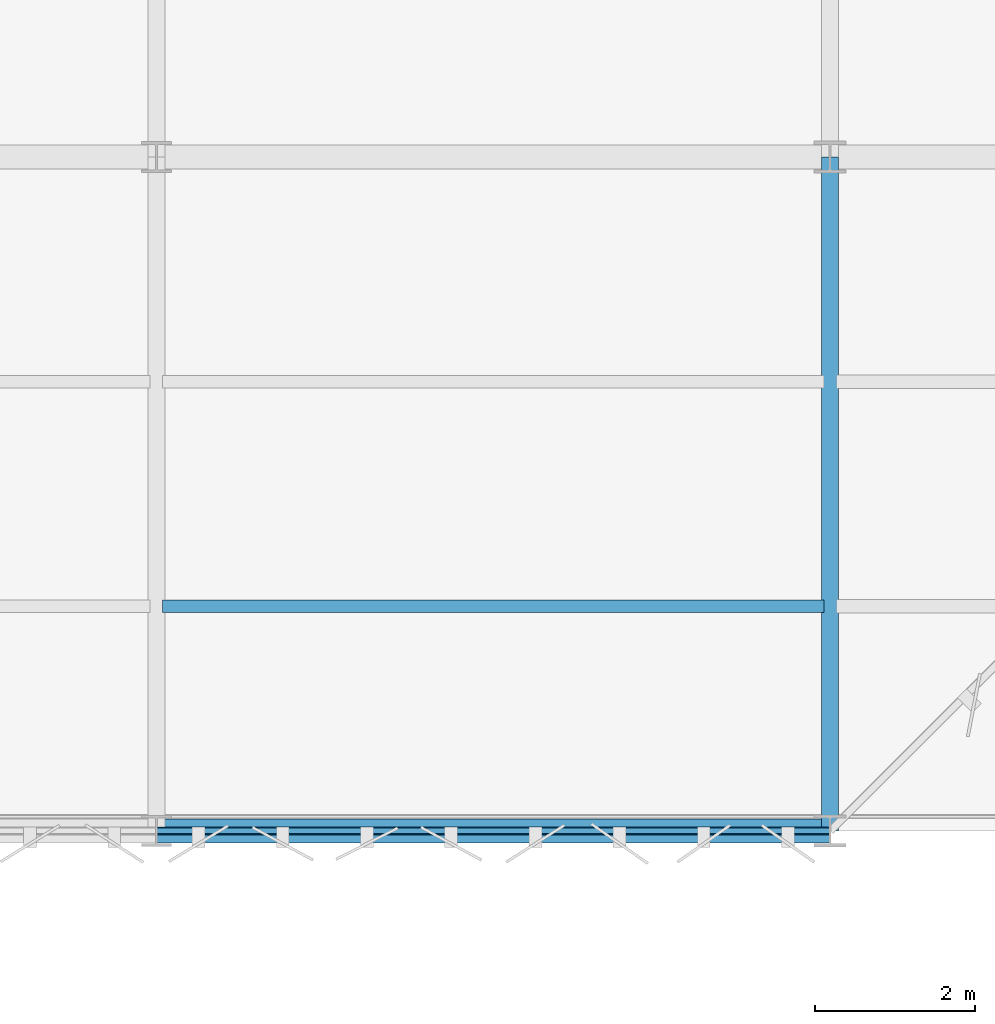
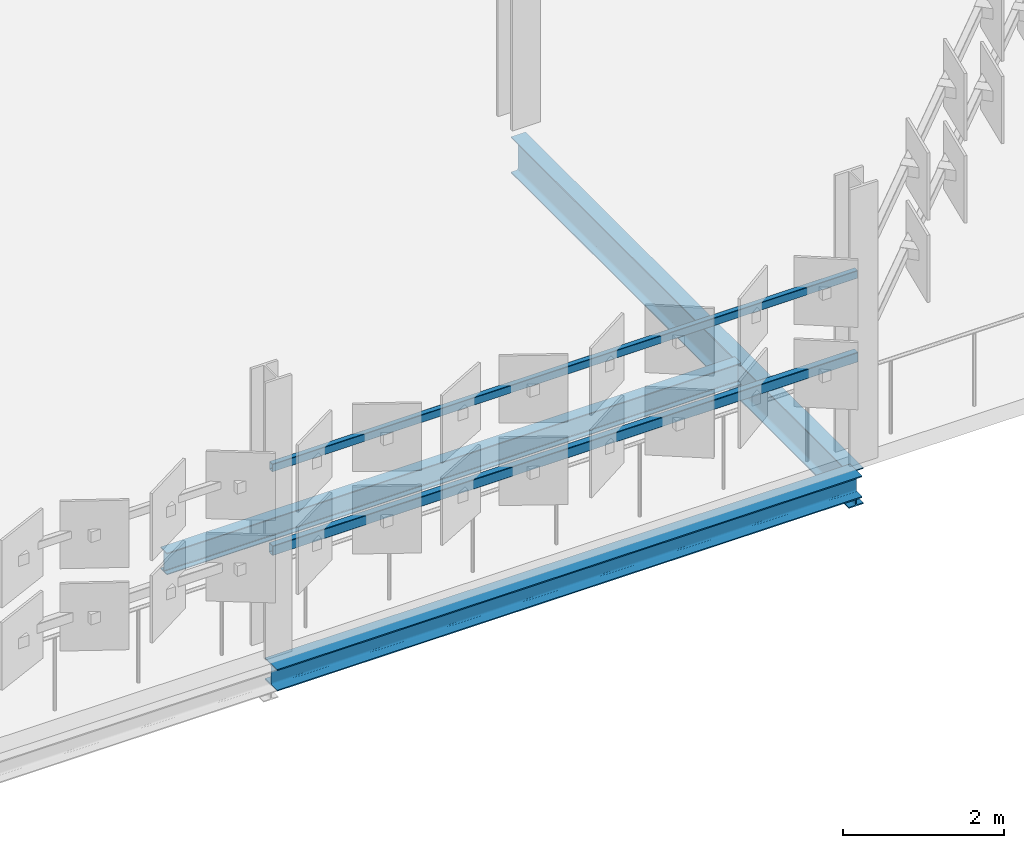
# One storey, part 105 of 163: 5 beams.
"""IFC4 building model written with IfcOpenShell, lengths in metres."""

import ifcopenshell
import ifcopenshell.guid

model = None  # the IFC model being written
_history = None  # IfcOwnerHistory: only IFC2X3 demands one
_inside = {}  # id of a spatial element -> (the spatial element, [elements in it])
_under = {}  # id of a project, library or spatial element -> (it, [spatial elements below it])
_declared = {}  # id of a project -> (the project, [libraries it declares])
_typed = {}  # id of a type object -> (the type object, [elements of that type])
_made_of = {}  # id of a material, layer set ... -> (it, [elements and type objects made of it])


def new_model(schema):
    """Start an empty IFC model of exactly this schema.

    Asked for "IFC4X3", IfcOpenShell would pick the latest addendum, in which some entities
    have other attributes; the version numbers below select the first issue.
    IFC2X3 requires an IfcOwnerHistory on every rooted entity: one is made here for all.
    """
    global model, _history
    if schema == "IFC4X3":
        model = ifcopenshell.file(schema_version=(4, 3, 0, 0))
    else:
        model = ifcopenshell.file(schema=schema)
    _inside.clear()
    _under.clear()
    _declared.clear()
    _typed.clear()
    _made_of.clear()
    _history = None
    if model.schema == "IFC2X3":
        org = make("IfcOrganization", Name="unknown")
        user = make(
            "IfcPersonAndOrganization",
            ThePerson=make("IfcPerson", FamilyName="unknown"),
            TheOrganization=org,
        )
        app = make(
            "IfcApplication",
            ApplicationDeveloper=org,
            Version="unknown",
            ApplicationFullName="unknown",
            ApplicationIdentifier="unknown",
        )
        _history = make(
            "IfcOwnerHistory",
            OwningUser=user,
            OwningApplication=app,
            ChangeAction="ADDED",
            CreationDate=0,
        )
    return model


def make(cls, **values):
    """One entity of the class cls with the attributes given. An attribute that is None is left unset."""
    return model.create_entity(
        cls, **{name: value for name, value in values.items() if value is not None}
    )


def rooted(cls, **values):
    """An entity with a GlobalId (a new one), such as an element, a storey or a relation."""
    return make(cls, GlobalId=ifcopenshell.guid.new(), OwnerHistory=_history, **values)


def si_unit(unit_type, name, prefix=None):
    """IfcSIUnit, for example si_unit("LENGTHUNIT", "METRE", prefix="MILLI")."""
    return make("IfcSIUnit", UnitType=unit_type, Prefix=prefix, Name=name)


def assignment(units):
    """IfcUnitAssignment: the units of a project."""
    return None if units is None else make("IfcUnitAssignment", Units=units)


def point(xyz):
    """IfcCartesianPoint."""
    return None if xyz is None else make("IfcCartesianPoint", Coordinates=xyz)


def direction(xyz):
    """IfcDirection."""
    return None if xyz is None else make("IfcDirection", DirectionRatios=xyz)


def frame(location, z_axis=None, x_axis=None):
    """IfcAxis2Placement3D, a coordinate frame: its origin and axes. An axis left out is left unset."""
    return make(
        "IfcAxis2Placement3D",
        Location=point(location),
        Axis=direction(z_axis),
        RefDirection=direction(x_axis),
    )


def frame_2d(location, x_axis=None):
    """IfcAxis2Placement2D, a coordinate frame in the plane: its origin and x axis."""
    return make(
        "IfcAxis2Placement2D", Location=point(location), RefDirection=direction(x_axis)
    )


def origin():
    """The frame at (0, 0, 0) with its axes left unset."""
    return frame((0.0, 0.0, 0.0))


def origin_2d():
    """The frame at (0, 0) in the plane with its x axis left unset."""
    return frame_2d((0.0, 0.0))


def place(relative_to, where):
    """IfcLocalPlacement: puts the frame where relative to a parent placement (None: the world)."""
    return make(
        "IfcLocalPlacement", PlacementRelTo=relative_to, RelativePlacement=where
    )


def context(
    kind, dimensions, precision=None, world=None, true_north=None, identifier=None
):
    """IfcGeometricRepresentationContext, for example the 3D "Model" context."""
    return make(
        "IfcGeometricRepresentationContext",
        ContextIdentifier=identifier,
        ContextType=kind,
        CoordinateSpaceDimension=dimensions,
        Precision=precision,
        WorldCoordinateSystem=world,
        TrueNorth=true_north,
    )


def subcontext(parent, identifier, kind, view, scale=None):
    """IfcGeometricRepresentationSubContext, for example "Body" below "Model"."""
    return make(
        "IfcGeometricRepresentationSubContext",
        ContextIdentifier=identifier,
        ContextType=kind,
        ParentContext=parent,
        TargetScale=scale,
        TargetView=view,
    )


def project(units=None, contexts=None):
    """IfcProject with its units and contexts."""
    return rooted(
        "IfcProject",
        Name="project",
        RepresentationContexts=contexts,
        UnitsInContext=assignment(units),
    )


def spatial(cls, under=None, at=None, **own):
    """A site, building, storey or space (cls), placed at a placement, below another one or the project."""
    s = rooted(cls, ObjectPlacement=at, **own)
    if under is not None:
        _under.setdefault(under.id(), (under, []))[1].append(s)
    return s


def profile(cls, at=None, kind="AREA", **sizes):
    """A parametric profile (cls). Its sizes go by their IFC names, for example OverallWidth=200.0."""
    return make(cls, ProfileType=kind, Position=at, **sizes)


def hollow_rectangle(**sizes):
    """IfcRectangleHollowProfileDef."""
    return profile("IfcRectangleHollowProfileDef", **sizes)


def i_section(**sizes):
    """IfcIShapeProfileDef."""
    return profile("IfcIShapeProfileDef", **sizes)


def extrude(swept, where, along, depth):
    """IfcExtrudedAreaSolid: the profile swept, set in the frame where, extruded along a direction by depth."""
    return make(
        "IfcExtrudedAreaSolid",
        SweptArea=swept,
        Position=where,
        ExtrudedDirection=direction(along),
        Depth=depth,
    )


def shape(context_of_items, identifier, shape_type, items):
    """IfcShapeRepresentation: the items that make up one representation, for example the "Body"."""
    return make(
        "IfcShapeRepresentation",
        ContextOfItems=context_of_items,
        RepresentationIdentifier=identifier,
        RepresentationType=shape_type,
        Items=items,
    )


def material(Name=None, Category=None):
    """IfcMaterial."""
    return make("IfcMaterial", Name=Name, Category=Category)


def material_profile(
    of_material, cross_section, Name=None, Category=None, Priority=None
):
    """IfcMaterialProfile: a cross section and its material."""
    return make(
        "IfcMaterialProfile",
        Name=Name,
        Material=of_material,
        Profile=cross_section,
        Priority=Priority,
        Category=Category,
    )


def profile_set(profiles, Name=None, composite=None):
    """IfcMaterialProfileSet."""
    return make(
        "IfcMaterialProfileSet",
        Name=Name,
        MaterialProfiles=profiles,
        CompositeProfile=composite,
    )


def made_of(thing, what):
    """Note that an element or type object is made of a material, layer set ...; save() writes the relation."""
    if what is not None:
        _made_of.setdefault(what.id(), (what, []))[1].append(thing)
    return thing


def type_object(cls, material=None, **own):
    """A type object (cls), such as IfcWallType, which elements share."""
    return made_of(rooted(cls, **own), material)


def element(
    cls,
    number,
    at=None,
    inside=None,
    cuts=None,
    type_object=None,
    material=None,
    context=None,
    identifier="Body",
    shape_type=None,
    held_by="IfcProductDefinitionShape",
    body=None,
    shapes=None,
    **own,
):
    """One element of the class cls, such as IfcWall. Its Tag is "e" and its number.

    at: its placement. inside: the storey or other place that contains it. cuts: it is an
    opening in that element (IfcRelVoidsElement). A single representation is given by context,
    identifier, shape_type and body (its items); several are given by shapes. held_by: the class
    of the entity that holds the representations. save() writes the other relations.
    """
    e = rooted(cls, Tag="e%d" % number, ObjectPlacement=at, **own)
    if body is not None:
        shapes = [shape(context, identifier, shape_type, body)]
    if shapes is not None:
        e.Representation = make(held_by, Representations=shapes)
    if inside is not None:
        _inside.setdefault(inside.id(), (inside, []))[1].append(e)
    if cuts is not None:
        rooted(
            "IfcRelVoidsElement", RelatingBuildingElement=cuts, RelatedOpeningElement=e
        )
    if type_object is not None:
        _typed.setdefault(type_object.id(), (type_object, []))[1].append(e)
    return made_of(e, material)


def aggregate(whole, parts):
    """IfcRelAggregates: a whole, such as a stair, and the parts it consists of."""
    return rooted("IfcRelAggregates", RelatingObject=whole, RelatedObjects=parts)


def save(model, path):
    """Write the relations noted so far, then the file.

    IfcRelAggregates (storeys below a building ...), IfcRelContainedInSpatialStructure (elements
    in a storey), IfcRelDefinesByType, IfcRelAssociatesMaterial and IfcRelDeclares: one each for
    every whole, place, type object, material and project.
    """
    for whole, parts in _under.values():
        aggregate(whole, parts)
    for where, things in _inside.values():
        rooted(
            "IfcRelContainedInSpatialStructure",
            RelatedElements=things,
            RelatingStructure=where,
        )
    for kind, things in _typed.values():
        rooted("IfcRelDefinesByType", RelatedObjects=things, RelatingType=kind)
    for what, things in _made_of.values():
        rooted("IfcRelAssociatesMaterial", RelatedObjects=things, RelatingMaterial=what)
    for by, libraries in _declared.values():
        rooted("IfcRelDeclares", RelatingContext=by, RelatedDefinitions=libraries)
    model.write(path)


model = new_model("IFC4")

# Units and contexts
model_context = context("Model", 3, precision=1e-05, world=origin(), true_north=direction((0.0, 1.0)))
body_context = subcontext(model_context, "Body", "Model", "MODEL_VIEW")
ifc_project = project(units=[si_unit("LENGTHUNIT", "METRE"), si_unit("AREAUNIT", "SQUARE_METRE"), si_unit("VOLUMEUNIT", "CUBIC_METRE"), si_unit("PLANEANGLEUNIT", "RADIAN"), si_unit("MASSUNIT", "GRAM", prefix="KILO")], contexts=[model_context])

# Site, building, storey
site_placement = place(None, origin())
site = spatial("IfcSite", under=ifc_project, at=site_placement, CompositionType="ELEMENT")
building_placement = place(site_placement, origin())
building = spatial("IfcBuilding", under=site, at=building_placement, Name="Qalvenar Corner Mobility Hub", CompositionType="ELEMENT")
storey_placement = place(building_placement, frame((0.0, 0.0, 4.800048828125)))
storey = spatial("IfcBuildingStorey", under=building, at=storey_placement, Name="L01", CompositionType="ELEMENT", Elevation=4.800048828125)

# Beams
ifc_material = material(Name="Steel S355", Category="steel")
ifc_material_profile_1 = material_profile(ifc_material, i_section(OverallWidth=0.2099609375, OverallDepth=0.550048828125, WebThickness=0.010986328125, FlangeThickness=0.01708984375, FilletRadius=0.02392578125, at=origin_2d()), Name="IPE550")
ifc_profile_set_1 = profile_set([ifc_material_profile_1], Name="Steel S355")
beam_type_1 = type_object("IfcBeamType", Name="BM-IPE550", PredefinedType="BEAM", material=ifc_profile_set_1)
beam_1_placement = place(storey_placement, frame((134.39990234375, 67.199951171875, -0.51513671875), z_axis=(0.0, 1.0, 0.0), x_axis=(-1.0, 0.0, 0.0)))
element("IfcBeam", 1, at=beam_1_placement, inside=storey, type_object=beam_type_1, Name="Primary Steel Girder GY-1364", PredefinedType="BEAM", context=body_context, shape_type="SweptSolid", body=[
    extrude(i_section(OverallWidth=0.2099609375, OverallDepth=0.550048828125, WebThickness=0.010986328125, FlangeThickness=0.01708984375, FilletRadius=0.02392578125, at=origin_2d()), origin(), (0.0, 0.0, 1.0), 8.400146484375),
])
ifc_material_profile_2 = material_profile(ifc_material, i_section(OverallWidth=0.159912109375, OverallDepth=0.330078125, WebThickness=0.007568359375, FlangeThickness=0.011474609375, FilletRadius=0.01806640625, at=origin_2d()), Name="IPE330")
ifc_profile_set_2 = profile_set([ifc_material_profile_2], Name="Steel S355")
beam_type_2 = type_object("IfcBeamType", Name="BM-JST330", PredefinedType="JOIST", material=ifc_profile_set_2)
beam_2_placement = place(storey_placement, frame((126.077880859375, 70.0, -0.405029296875), z_axis=(1.0, 0.0, 0.0), x_axis=(0.0, 1.0, 0.0)))
element("IfcBeam", 2, at=beam_2_placement, inside=storey, type_object=beam_type_2, Name="Composite Floor Joist J-1448", PredefinedType="JOIST", context=body_context, shape_type="SweptSolid", body=[
    extrude(i_section(OverallWidth=0.159912109375, OverallDepth=0.330078125, WebThickness=0.007568359375, FlangeThickness=0.011474609375, FilletRadius=0.01806640625, at=origin_2d()), origin(), (0.0, 0.0, 1.0), 8.244140625),
])
ifc_material_profile_3 = material_profile(ifc_material, i_section(OverallWidth=0.300048828125, OverallDepth=0.330078125, WebThickness=0.009521484375, FlangeThickness=0.0166015625, FilletRadius=0.027099609375, at=origin_2d()), Name="HEA340")
ifc_profile_set_3 = profile_set([ifc_material_profile_3], Name="Steel S355")
beam_type_3 = type_object("IfcBeamType", Name="BM-SPN340", PredefinedType="SPANDREL", material=ifc_profile_set_3)
beam_3_placement = place(storey_placement, frame((126.0, 67.199951171875, -0.405029296875), z_axis=(1.0, 0.0, 0.0), x_axis=(0.0, 1.0, 0.0)))
element("IfcBeam", 3, at=beam_3_placement, inside=storey, type_object=beam_type_3, Name="Primary Steel Girder GX-1263", PredefinedType="SPANDREL", context=body_context, shape_type="SweptSolid", body=[
    extrude(i_section(OverallWidth=0.300048828125, OverallDepth=0.330078125, WebThickness=0.009521484375, FlangeThickness=0.0166015625, FilletRadius=0.027099609375, at=origin_2d()), origin(), (0.0, 0.0, 1.0), 8.39990234375),
])
ifc_material_profile_4 = material_profile(ifc_material, hollow_rectangle(XDim=0.080078125, YDim=0.1201171875, WallThickness=0.0048828125, InnerFilletRadius=0.0048828125, OuterFilletRadius=0.010009765625, at=origin_2d()), Name="RHS120x80x5")
ifc_profile_set_4 = profile_set([ifc_material_profile_4], Name="Steel S355")
beam_type_4 = type_object("IfcBeamType", Name="FR-RAIL120", PredefinedType="SPANDREL", material=ifc_profile_set_4)
beam_4_placement = place(storey_placement, frame((126.0, 67.199951171875, 2.75), z_axis=(1.0, 0.0, 0.0), x_axis=(0.0, 1.0, 0.0)))
element("IfcBeam", 4, at=beam_4_placement, inside=storey, type_object=beam_type_4, Name="Facade Hinge Support Rail FR-L01-0016", PredefinedType="SPANDREL", context=body_context, shape_type="SweptSolid", body=[
    extrude(hollow_rectangle(XDim=0.080078125, YDim=0.1201171875, WallThickness=0.0048828125, InnerFilletRadius=0.0048828125, OuterFilletRadius=0.010009765625, at=origin_2d()), origin(), (0.0, 0.0, 1.0), 8.39990234375),
])
ifc_material_profile_5 = material_profile(ifc_material, hollow_rectangle(XDim=0.10009765625, YDim=0.14990234375, WallThickness=0.00634765625, InnerFilletRadius=0.00634765625, OuterFilletRadius=0.0126953125, at=origin_2d()), Name="RHS150x100x6.3")
ifc_profile_set_5 = profile_set([ifc_material_profile_5], Name="Steel S355")
beam_type_5 = type_object("IfcBeamType", Name="FR-RAIL150", PredefinedType="SPANDREL", material=ifc_profile_set_5)
beam_5_placement = place(storey_placement, frame((126.0, 67.199951171875, 1.5), z_axis=(1.0, 0.0, 0.0), x_axis=(0.0, 1.0, 0.0)))
element("IfcBeam", 5, at=beam_5_placement, inside=storey, type_object=beam_type_5, Name="Facade Hinge Support Rail FR-L01-0015", PredefinedType="SPANDREL", context=body_context, shape_type="SweptSolid", body=[
    extrude(hollow_rectangle(XDim=0.10009765625, YDim=0.14990234375, WallThickness=0.00634765625, InnerFilletRadius=0.00634765625, OuterFilletRadius=0.0126953125, at=origin_2d()), origin(), (0.0, 0.0, 1.0), 8.39990234375),
])

save(model, "model.ifc")
